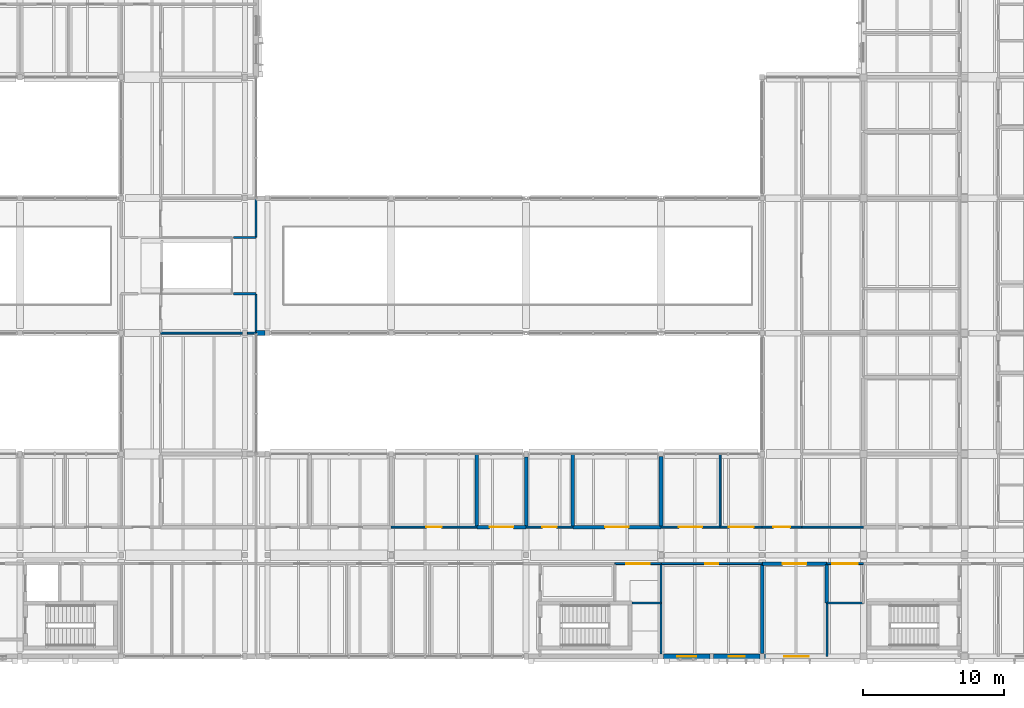
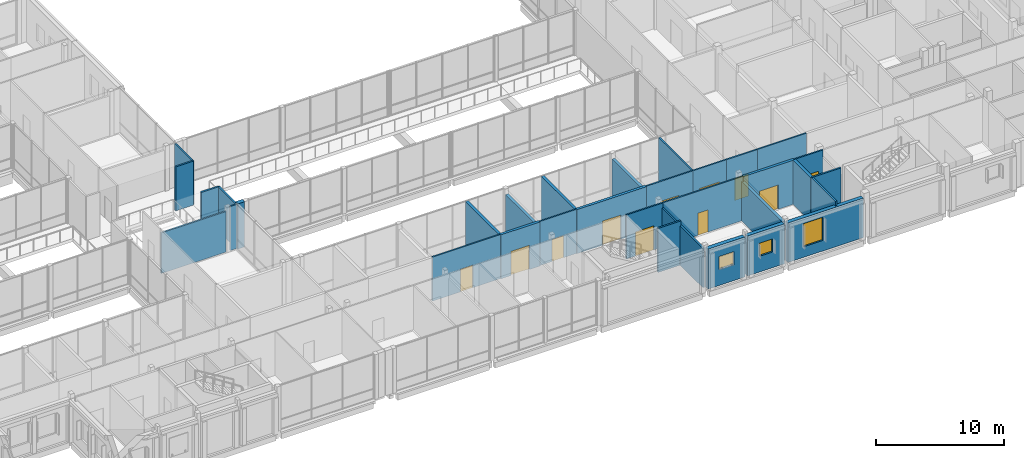
# One storey, part 113 of 146: 34 walls, 11 doors, 3 windows, 14 openings.
"""IFC4 building model written with IfcOpenShell, lengths in metres."""

from ifc_helpers import new_model, si_unit, direction, frame, frame_2d, origin, place, context, subcontext, project, spatial, rectangle, extrude, material, layer, layer_set, type_object, element, fill, save


model = new_model("IFC4")

# Units and contexts
model_context = context("Model", 3, precision=1e-05, world=origin(), true_north=direction((0.0, 1.0)))
body_context = subcontext(model_context, "Body", "Model", "MODEL_VIEW")
ifc_project = project(units=[si_unit("LENGTHUNIT", "METRE"), si_unit("AREAUNIT", "SQUARE_METRE"), si_unit("VOLUMEUNIT", "CUBIC_METRE"), si_unit("PLANEANGLEUNIT", "RADIAN"), si_unit("MASSUNIT", "GRAM", prefix="KILO")], contexts=[model_context])

# Site, building, storey
site_placement = place(None, origin())
site = spatial("IfcSite", under=ifc_project, at=site_placement, CompositionType="ELEMENT")
building_placement = place(site_placement, origin())
building = spatial("IfcBuilding", under=site, at=building_placement, Name="Hawrajan Terrace Health Centre", CompositionType="ELEMENT")
storey_placement = place(building_placement, frame((0.0, 0.0, 4.5)))
storey = spatial("IfcBuildingStorey", under=building, at=storey_placement, Name="L01", CompositionType="ELEMENT", Elevation=4.5)

# Walls
ifc_material_1 = material(Name="Gypsum board on acoustic stud framing")
ifc_layer_1 = layer(ifc_material_1, 0.139892578125)
ifc_layer_set_1 = layer_set([ifc_layer_1], Name="Gypsum board on acoustic stud framing")
wall_type_1 = type_object("IfcWallType", Name="ClinicalAcousticWall_140", PredefinedType="PARTITIONING", material=ifc_layer_set_1)
wall_1_placement = place(storey_placement, frame((65.0, 27.199951171875, 0.0), z_axis=(0.0, 0.0, 1.0), x_axis=(1.0, 0.0, 0.0)))
element("IfcWall", 1, at=wall_1_placement, inside=storey, type_object=wall_type_1, Name="Interior wall IW-L01-0637", PredefinedType="PARTITIONING", context=body_context, shape_type="SweptSolid", body=[
    extrude(rectangle(XDim=5.820068359375, YDim=0.139892578125, at=frame_2d((2.91015625, 0.0))), origin(), (0.0, 0.0, 1.0), 3.85009765625),
])
wall_2_placement = place(storey_placement, frame((71.179931640625, 27.199951171875, 0.0), z_axis=(0.0, 0.0, 1.0), x_axis=(1.0, 0.0, 0.0)))
element("IfcWall", 2, at=wall_2_placement, inside=storey, type_object=wall_type_1, Name="Interior wall IW-L01-0638", PredefinedType="PARTITIONING", context=body_context, shape_type="SweptSolid", body=[
    extrude(rectangle(XDim=0.614990234375, YDim=0.139892578125, at=frame_2d((0.3076171875, 0.0))), origin(), (0.0, 0.0, 1.0), 4.179931640625),
])

# Wall, opening, door
wall_3_placement = place(storey_placement, frame((81.39990234375, 13.39990234375, 0.0), z_axis=(0.0, 0.0, 1.0), x_axis=(1.0, 0.0, 0.0)))
wall_3 = element("IfcWall", 3, at=wall_3_placement, inside=storey, type_object=wall_type_1, Name="Interior wall IW-L01-0660", PredefinedType="PARTITIONING", context=body_context, shape_type="SweptSolid", body=[
    extrude(rectangle(XDim=6.106201171875, YDim=0.139892578125, at=frame_2d((3.05322265625, 0.0))), origin(), (0.0, 0.0, 1.0), 4.179931640625),
])
opening_1_placement = place(wall_3_placement, frame((2.492919921875, 0.0, 0.0)))
opening_1 = element("IfcOpeningElement", 4, at=opening_1_placement, cuts=wall_3, Name="Opening D-L01-351", PredefinedType="OPENING", context=body_context, shape_type="SweptSolid", body=[
    extrude(rectangle(XDim=1.1201171875, YDim=2.14990234375, at=frame_2d((0.56005859375, 1.074951171875))), frame((0.0, 0.079833984375, 0.0), z_axis=(0.0, -1.0, 0.0), x_axis=(1.0, 0.0, 0.0)), (0.0, 0.0, 1.0), 0.159912109375),
])
ifc_material_2 = material(Name="Hardwood acoustic clinical door leaf and frame", Category="wood")
door_type_1 = type_object("IfcDoorType", Name="DentalSurgeryDoor_1120x2150", OperationType="NOTDEFINED", PredefinedType="DOOR", material=ifc_material_2)
door_1_placement = place(opening_1_placement, origin())
door_1 = element("IfcDoor", 5, at=door_1_placement, inside=storey, type_object=door_type_1, Name="Interior door D-L01-351", OperationType="SINGLE_SWING_LEFT", OverallHeight=2.14990234375, OverallWidth=1.1201171875, PredefinedType="DOOR", context=body_context, shape_type="SweptSolid", body=[
    extrude(rectangle(XDim=1.1201171875, YDim=2.14990234375, at=frame_2d((0.56005859375, 1.074951171875))), frame((0.0, 0.02490234375, 0.0), z_axis=(0.0, -1.0, 0.0), x_axis=(1.0, 0.0, 0.0)), (0.0, 0.0, 1.0), 0.050048828125),
])
fill(opening_1, door_1)

wall_4_placement = place(storey_placement, frame((91.0, 13.39990234375, 0.0), z_axis=(0.0, 0.0, 1.0), x_axis=(1.0, 0.0, 0.0)))
wall_4 = element("IfcWall", 6, at=wall_4_placement, inside=storey, type_object=wall_type_1, Name="Interior wall IW-L01-0668", PredefinedType="PARTITIONING", context=body_context, shape_type="SweptSolid", body=[
    extrude(rectangle(XDim=3.3310546875, YDim=0.139892578125, at=frame_2d((1.66552734375, 0.0))), origin(), (0.0, 0.0, 1.0), 4.179931640625),
])
opening_2_placement = place(wall_4_placement, frame((1.1455078125, 0.0, 0.0)))
opening_2 = element("IfcOpeningElement", 7, at=opening_2_placement, cuts=wall_4, Name="Opening D-L01-355", PredefinedType="OPENING", context=body_context, shape_type="SweptSolid", body=[
    extrude(rectangle(XDim=1.0400390625, YDim=2.10009765625, at=frame_2d((0.52001953125, 1.050048828125))), frame((0.0, 0.079833984375, 0.0), z_axis=(0.0, -1.0, 0.0), x_axis=(1.0, 0.0, 0.0)), (0.0, 0.0, 1.0), 0.159912109375),
])
door_type_2 = type_object("IfcDoorType", Name="ConsultDoor_1040x2100", OperationType="NOTDEFINED", PredefinedType="DOOR", material=ifc_material_2)
door_2_placement = place(opening_2_placement, origin())
door_2 = element("IfcDoor", 8, at=door_2_placement, inside=storey, type_object=door_type_2, Name="Interior door D-L01-355", OperationType="SINGLE_SWING_LEFT", OverallHeight=2.10009765625, OverallWidth=1.0400390625, PredefinedType="DOOR", context=body_context, shape_type="SweptSolid", body=[
    extrude(rectangle(XDim=1.0400390625, YDim=2.10009765625, at=frame_2d((0.52001953125, 1.050048828125))), frame((0.0, 0.02490234375, 0.0), z_axis=(0.0, -1.0, 0.0), x_axis=(1.0, 0.0, 0.0)), (0.0, 0.0, 1.0), 0.050048828125),
])
fill(opening_2, door_2)

wall_5_placement = place(storey_placement, frame((97.322998046875, 10.800048828125, 0.0), z_axis=(0.0, 0.0, 1.0), x_axis=(1.0, 0.0, 0.0)))
wall_5 = element("IfcWall", 9, at=wall_5_placement, inside=storey, type_object=wall_type_1, Name="Interior wall IW-L01-0674", PredefinedType="PARTITIONING", context=body_context, shape_type="SweptSolid", body=[
    extrude(rectangle(XDim=3.277099609375, YDim=0.139892578125, at=frame_2d((1.638671875, 0.0))), origin(), (0.0, 0.0, 1.0), 4.179931640625),
])
opening_3_placement = place(wall_5_placement, frame((0.80859375, 0.0, 0.0)))
opening_3 = element("IfcOpeningElement", 10, at=opening_3_placement, cuts=wall_5, Name="Opening D-L01-354", PredefinedType="OPENING", context=body_context, shape_type="SweptSolid", body=[
    extrude(rectangle(XDim=1.659912109375, YDim=2.300048828125, at=frame_2d((0.830078125, 1.14990234375))), frame((0.0, 0.079833984375, 0.0), z_axis=(0.0, -1.0, 0.0), x_axis=(1.0, 0.0, 0.0)), (0.0, 0.0, 1.0), 0.159912109375),
])
door_type_3 = type_object("IfcDoorType", Name="RehabGymDoor_1660x2300", OperationType="DOUBLE_DOOR_SINGLE_SWING", PredefinedType="DOOR", material=ifc_material_2)
door_3_placement = place(opening_3_placement, origin())
door_3 = element("IfcDoor", 11, at=door_3_placement, inside=storey, type_object=door_type_3, Name="Interior door D-L01-354", OperationType="DOUBLE_DOOR_SINGLE_SWING", OverallHeight=2.300048828125, OverallWidth=1.659912109375, PredefinedType="DOOR", context=body_context, shape_type="SweptSolid", body=[
    extrude(rectangle(XDim=1.659912109375, YDim=2.300048828125, at=frame_2d((0.830078125, 1.14990234375))), frame((0.0, 0.02490234375, 0.0), z_axis=(0.0, -1.0, 0.0), x_axis=(1.0, 0.0, 0.0)), (0.0, 0.0, 1.0), 0.050048828125),
])
fill(opening_3, door_3)

# Wall
wall_6_placement = place(storey_placement, frame((100.60009765625, 8.0, 0.0), z_axis=(0.0, 0.0, 1.0), x_axis=(0.0, 1.0, 0.0)))
element("IfcWall", 12, at=wall_6_placement, inside=storey, type_object=wall_type_1, Name="Interior wall IW-L01-0675", PredefinedType="PARTITIONING", context=body_context, shape_type="SweptSolid", body=[
    extrude(rectangle(XDim=2.72998046875, YDim=0.139892578125, at=frame_2d((1.364990234375, 0.0))), origin(), (0.0, 0.0, 1.0), 3.739990234375),
])

# Wall, opening, door
wall_7_placement = place(storey_placement, frame((100.60009765625, 10.800048828125, 0.0), z_axis=(0.0, 0.0, 1.0), x_axis=(1.0, 0.0, 0.0)))
wall_7 = element("IfcWall", 13, at=wall_7_placement, inside=storey, type_object=wall_type_1, Name="Interior wall IW-L01-0676", PredefinedType="PARTITIONING", context=body_context, shape_type="SweptSolid", body=[
    extrude(rectangle(XDim=7.199951171875, YDim=0.139892578125, at=frame_2d((3.60009765625, 0.0))), origin(), (0.0, 0.0, 1.0), 4.179931640625),
])
opening_4_placement = place(wall_7_placement, frame((3.139892578125, 0.0, 0.0)))
opening_4 = element("IfcOpeningElement", 14, at=opening_4_placement, cuts=wall_7, Name="Opening D-L01-357", PredefinedType="OPENING", context=body_context, shape_type="SweptSolid", body=[
    extrude(rectangle(XDim=0.919921875, YDim=2.10009765625, at=frame_2d((0.4599609375, 1.050048828125))), frame((0.0, 0.079833984375, 0.0), z_axis=(0.0, -1.0, 0.0), x_axis=(1.0, 0.0, 0.0)), (0.0, 0.0, 1.0), 0.159912109375),
])
door_type_4 = type_object("IfcDoorType", Name="StaffOfficeDoor_920x2100", OperationType="NOTDEFINED", PredefinedType="DOOR", material=ifc_material_2)
door_4_placement = place(opening_4_placement, origin())
door_4 = element("IfcDoor", 15, at=door_4_placement, inside=storey, type_object=door_type_4, Name="Interior door D-L01-357", OperationType="SINGLE_SWING_LEFT", OverallHeight=2.10009765625, OverallWidth=0.919921875, PredefinedType="DOOR", context=body_context, shape_type="SweptSolid", body=[
    extrude(rectangle(XDim=0.919921875, YDim=2.10009765625, at=frame_2d((0.4599609375, 1.050048828125))), frame((0.0, 0.02490234375, 0.0), z_axis=(0.0, -1.0, 0.0), x_axis=(1.0, 0.0, 0.0)), (0.0, 0.0, 1.0), 0.050048828125),
])
fill(opening_4, door_4)

wall_8_placement = place(storey_placement, frame((100.60009765625, 13.39990234375, 0.0), z_axis=(0.0, 0.0, 1.0), x_axis=(1.0, 0.0, 0.0)))
wall_8 = element("IfcWall", 16, at=wall_8_placement, inside=storey, type_object=wall_type_1, Name="Interior wall IW-L01-0678", PredefinedType="PARTITIONING", context=body_context, shape_type="SweptSolid", body=[
    extrude(rectangle(XDim=4.2119140625, YDim=0.139892578125, at=frame_2d((2.10595703125, 0.0))), origin(), (0.0, 0.0, 1.0), 4.179931640625),
])
opening_5_placement = place(wall_8_placement, frame((1.27587890625, 0.0, 0.0)))
opening_5 = element("IfcOpeningElement", 17, at=opening_5_placement, cuts=wall_8, Name="Opening D-L01-358", PredefinedType="OPENING", context=body_context, shape_type="SweptSolid", body=[
    extrude(rectangle(XDim=1.659912109375, YDim=2.300048828125, at=frame_2d((0.830078125, 1.14990234375))), frame((0.0, 0.079833984375, 0.0), z_axis=(0.0, -1.0, 0.0), x_axis=(1.0, 0.0, 0.0)), (0.0, 0.0, 1.0), 0.159912109375),
])
door_5_placement = place(opening_5_placement, origin())
door_5 = element("IfcDoor", 18, at=door_5_placement, inside=storey, type_object=door_type_3, Name="Interior door D-L01-358", OperationType="DOUBLE_DOOR_SINGLE_SWING", OverallHeight=2.300048828125, OverallWidth=1.659912109375, PredefinedType="DOOR", context=body_context, shape_type="SweptSolid", body=[
    extrude(rectangle(XDim=1.659912109375, YDim=2.300048828125, at=frame_2d((0.830078125, 1.14990234375))), frame((0.0, 0.02490234375, 0.0), z_axis=(0.0, -1.0, 0.0), x_axis=(1.0, 0.0, 0.0)), (0.0, 0.0, 1.0), 0.050048828125),
])
fill(opening_5, door_5)

# Wall
wall_9_placement = place(storey_placement, frame((104.81201171875, 13.469970703125, 0.0), z_axis=(0.0, 0.0, 1.0), x_axis=(0.0, 1.0, 0.0)))
element("IfcWall", 19, at=wall_9_placement, inside=storey, type_object=wall_type_1, Name="Interior wall IW-L01-0679", PredefinedType="PARTITIONING", context=body_context, shape_type="SweptSolid", body=[
    extrude(rectangle(XDim=5.130126953125, YDim=0.139892578125, at=frame_2d((2.56494140625, 0.0))), origin(), (0.0, 0.0, 1.0), 4.179931640625),
])

# Wall, opening, door
wall_10_placement = place(storey_placement, frame((104.81201171875, 13.39990234375, 0.0), z_axis=(0.0, 0.0, 1.0), x_axis=(1.0, 0.0, 0.0)))
wall_10 = element("IfcWall", 20, at=wall_10_placement, inside=storey, type_object=wall_type_1, Name="Interior wall IW-L01-0680", PredefinedType="PARTITIONING", context=body_context, shape_type="SweptSolid", body=[
    extrude(rectangle(XDim=2.988037109375, YDim=0.139892578125, at=frame_2d((1.494140625, 0.0))), origin(), (0.0, 0.0, 1.0), 4.179931640625),
])
opening_6_placement = place(wall_10_placement, frame((0.593994140625, 0.0, 0.0)))
opening_6 = element("IfcOpeningElement", 21, at=opening_6_placement, cuts=wall_10, Name="Opening D-L01-359", PredefinedType="OPENING", context=body_context, shape_type="SweptSolid", body=[
    extrude(rectangle(XDim=1.800048828125, YDim=2.300048828125, at=frame_2d((0.89990234375, 1.14990234375))), frame((0.0, 0.079833984375, 0.0), z_axis=(0.0, -1.0, 0.0), x_axis=(1.0, 0.0, 0.0)), (0.0, 0.0, 1.0), 0.159912109375),
])
door_type_5 = type_object("IfcDoorType", Name="EducationHallDoor_1800x2300", OperationType="DOUBLE_DOOR_SINGLE_SWING", PredefinedType="DOOR", material=ifc_material_2)
door_6_placement = place(opening_6_placement, origin())
door_6 = element("IfcDoor", 22, at=door_6_placement, inside=storey, type_object=door_type_5, Name="Interior door D-L01-359", OperationType="DOUBLE_DOOR_SINGLE_SWING", OverallHeight=2.300048828125, OverallWidth=1.800048828125, PredefinedType="DOOR", context=body_context, shape_type="SweptSolid", body=[
    extrude(rectangle(XDim=1.800048828125, YDim=2.300048828125, at=frame_2d((0.89990234375, 1.14990234375))), frame((0.0, 0.02490234375, 0.0), z_axis=(0.0, -1.0, 0.0), x_axis=(1.0, 0.0, 0.0)), (0.0, 0.0, 1.0), 0.050048828125),
])
fill(opening_6, door_6)

wall_11_placement = place(storey_placement, frame((107.800048828125, 13.39990234375, 0.0), z_axis=(0.0, 0.0, 1.0), x_axis=(1.0, 0.0, 0.0)))
wall_11 = element("IfcWall", 23, at=wall_11_placement, inside=storey, type_object=wall_type_1, Name="Interior wall IW-L01-0684", PredefinedType="PARTITIONING", context=body_context, shape_type="SweptSolid", body=[
    extrude(rectangle(XDim=2.800048828125, YDim=0.139892578125, at=frame_2d((1.39990234375, 0.0))), origin(), (0.0, 0.0, 1.0), 4.179931640625),
])
opening_7_placement = place(wall_11_placement, frame((0.7900390625, 0.0, 0.0)))
opening_7 = element("IfcOpeningElement", 24, at=opening_7_placement, cuts=wall_11, Name="Opening D-L01-269", PredefinedType="OPENING", context=body_context, shape_type="SweptSolid", body=[
    extrude(rectangle(XDim=1.219970703125, YDim=2.10009765625, at=frame_2d((0.60986328125, 1.050048828125))), frame((0.0, 0.079833984375, 0.0), z_axis=(0.0, -1.0, 0.0), x_axis=(1.0, 0.0, 0.0)), (0.0, 0.0, 1.0), 0.159912109375),
])
door_type_6 = type_object("IfcDoorType", Name="ConsultDoor_1220x2100", OperationType="NOTDEFINED", PredefinedType="DOOR", material=ifc_material_2)
door_7_placement = place(opening_7_placement, origin())
door_7 = element("IfcDoor", 25, at=door_7_placement, inside=storey, type_object=door_type_6, Name="Interior door D-L01-269", OperationType="SINGLE_SWING_LEFT", OverallHeight=2.10009765625, OverallWidth=1.219970703125, PredefinedType="DOOR", context=body_context, shape_type="SweptSolid", body=[
    extrude(rectangle(XDim=1.219970703125, YDim=2.10009765625, at=frame_2d((0.60986328125, 1.050048828125))), frame((0.0, 0.02490234375, 0.0), z_axis=(0.0, -1.0, 0.0), x_axis=(1.0, 0.0, 0.0)), (0.0, 0.0, 1.0), 0.050048828125),
])
fill(opening_7, door_7)

# Wall
wall_12_placement = place(storey_placement, frame((110.60009765625, 13.39990234375, 0.0), z_axis=(0.0, 0.0, 1.0), x_axis=(1.0, 0.0, 0.0)))
element("IfcWall", 26, at=wall_12_placement, inside=storey, type_object=wall_type_1, Name="Interior wall IW-L01-0686", PredefinedType="PARTITIONING", context=body_context, shape_type="SweptSolid", body=[
    extrude(rectangle(XDim=4.39990234375, YDim=0.139892578125, at=frame_2d((2.199951171875, 0.0))), origin(), (0.0, 0.0, 1.0), 4.179931640625),
])

# Wall, opening, door
wall_13_placement = place(storey_placement, frame((112.39990234375, 10.800048828125, 0.0), z_axis=(0.0, 0.0, 1.0), x_axis=(1.0, 0.0, 0.0)))
wall_13 = element("IfcWall", 27, at=wall_13_placement, inside=storey, type_object=wall_type_1, Name="Interior wall IW-L01-0694", PredefinedType="PARTITIONING", context=body_context, shape_type="SweptSolid", body=[
    extrude(rectangle(XDim=2.60009765625, YDim=0.139892578125, at=frame_2d((1.300048828125, 0.0))), origin(), (0.0, 0.0, 1.0), 4.179931640625),
])
opening_8_placement = place(wall_13_placement, frame((0.39990234375, 0.0, 0.0)))
opening_8 = element("IfcOpeningElement", 28, at=opening_8_placement, cuts=wall_13, Name="Opening D-L01-267", PredefinedType="OPENING", context=body_context, shape_type="SweptSolid", body=[
    extrude(rectangle(XDim=1.800048828125, YDim=2.300048828125, at=frame_2d((0.89990234375, 1.14990234375))), frame((0.0, 0.079833984375, 0.0), z_axis=(0.0, -1.0, 0.0), x_axis=(1.0, 0.0, 0.0)), (0.0, 0.0, 1.0), 0.159912109375),
])
door_8_placement = place(opening_8_placement, origin())
door_8 = element("IfcDoor", 29, at=door_8_placement, inside=storey, type_object=door_type_5, Name="Interior door D-L01-267", OperationType="DOUBLE_DOOR_SINGLE_SWING", OverallHeight=2.300048828125, OverallWidth=1.800048828125, PredefinedType="DOOR", context=body_context, shape_type="SweptSolid", body=[
    extrude(rectangle(XDim=1.800048828125, YDim=2.300048828125, at=frame_2d((0.89990234375, 1.14990234375))), frame((0.0, 0.02490234375, 0.0), z_axis=(0.0, -1.0, 0.0), x_axis=(1.0, 0.0, 0.0)), (0.0, 0.0, 1.0), 0.050048828125),
])
fill(opening_8, door_8)

# Wall, opening, window
ifc_material_3 = material(Name="Precast concrete C40/50", Category="concrete")
ifc_layer_2 = layer(ifc_material_3, 0.340087890625)
ifc_layer_set_2 = layer_set([ifc_layer_2], Name="Precast concrete C40/50")
wall_type_2 = type_object("IfcWallType", Name="CoralAshlarWall_340", PredefinedType="SOLIDWALL", material=ifc_layer_set_2)
wall_14_placement = place(storey_placement, frame((107.9599609375, 4.199951171875, 0.0), z_axis=(0.0, 0.0, 1.0), x_axis=(1.0, 0.0, 0.0)))
wall_14 = element("IfcWall", 30, at=wall_14_placement, inside=storey, type_object=wall_type_2, Name="Exterior wall EW-L01-H13-00-1", PredefinedType="SOLIDWALL", context=body_context, shape_type="SweptSolid", body=[
    extrude(rectangle(XDim=6.7900390625, YDim=0.340087890625, at=frame_2d((3.39501953125, 0.0))), origin(), (0.0, 0.0, 1.0), 3.760009765625),
])
opening_9_placement = place(wall_14_placement, frame((1.419921875, 0.0, 1.0)))
opening_9 = element("IfcOpeningElement", 31, at=opening_9_placement, cuts=wall_14, Name="Opening W-L01-086", PredefinedType="OPENING", context=body_context, shape_type="SweptSolid", body=[
    extrude(rectangle(XDim=1.719970703125, YDim=2.199951171875, at=frame_2d((0.85986328125, 1.10009765625))), frame((0.0, 0.179931640625, 0.0), z_axis=(0.0, -1.0, 0.0), x_axis=(1.0, 0.0, 0.0)), (0.0, 0.0, 1.0), 0.360107421875),
])
ifc_material_4 = material(Name="Anodized bronze frame with double low-E glazing", Category="glass")
window_type_1 = type_object("IfcWindowType", Name="FacadeWindow_1720x2200", PartitioningType="DOUBLE_PANEL_VERTICAL", PredefinedType="WINDOW", material=ifc_material_4)
window_1_placement = place(opening_9_placement, origin())
window_1 = element("IfcWindow", 32, at=window_1_placement, inside=storey, type_object=window_type_1, Name="Window W-L01-086", OverallHeight=2.199951171875, OverallWidth=1.719970703125, PartitioningType="DOUBLE_PANEL_VERTICAL", PredefinedType="WINDOW", context=body_context, shape_type="SweptSolid", body=[
    extrude(rectangle(XDim=1.719970703125, YDim=2.199951171875, at=frame_2d((0.85986328125, 1.10009765625))), frame((0.0, 0.030029296875, 0.0), z_axis=(0.0, -1.0, 0.0), x_axis=(1.0, 0.0, 0.0)), (0.0, 0.0, 1.0), 0.06005859375),
])
fill(opening_9, window_1)

# Wall
ifc_layer_3 = layer(ifc_material_3, 0.360107421875)
ifc_layer_set_3 = layer_set([ifc_layer_3], Name="Precast concrete C40/50")
wall_type_3 = type_object("IfcWallType", Name="CoralPodiumWall_360", PredefinedType="SOLIDWALL", material=ifc_layer_set_3)
wall_15_placement = place(storey_placement, frame((71.804931640625, 27.199951171875, 0.0), z_axis=(0.0, 0.0, 1.0), x_axis=(1.0, 0.0, 0.0)))
element("IfcWall", 33, at=wall_15_placement, inside=storey, type_object=wall_type_3, Name="Exterior wall EW-L01-H09-03-1", PredefinedType="SOLIDWALL", context=body_context, shape_type="SweptSolid", body=[
    extrude(rectangle(XDim=0.614990234375, YDim=0.360107421875, at=frame_2d((0.3076171875, 0.0))), origin(), (0.0, 0.0, 1.0), 4.300048828125),
])

# Wall, opening, window
wall_16_placement = place(storey_placement, frame((100.780029296875, 4.199951171875, 0.0), z_axis=(0.0, 0.0, 1.0), x_axis=(1.0, 0.0, 0.0)))
wall_16 = element("IfcWall", 34, at=wall_16_placement, inside=storey, type_object=wall_type_3, Name="Exterior wall EW-L01-H12-00-1", PredefinedType="SOLIDWALL", context=body_context, shape_type="SweptSolid", body=[
    extrude(rectangle(XDim=3.300048828125, YDim=0.360107421875, at=frame_2d((1.64990234375, 0.0))), origin(), (0.0, 0.0, 1.0), 3.800048828125),
])
opening_10_placement = place(wall_16_placement, frame((0.989990234375, 0.0, 1.5)))
opening_10 = element("IfcOpeningElement", 35, at=opening_10_placement, cuts=wall_16, Name="Opening W-L01-084", PredefinedType="OPENING", context=body_context, shape_type="SweptSolid", body=[
    extrude(rectangle(XDim=1.320068359375, YDim=1.25, at=frame_2d((0.66015625, 0.625))), frame((0.0, 0.18994140625, 0.0), z_axis=(0.0, -1.0, 0.0), x_axis=(1.0, 0.0, 0.0)), (0.0, 0.0, 1.0), 0.380126953125),
])
window_type_2 = type_object("IfcWindowType", Name="FacadeWindow_1320x1250", PartitioningType="SINGLE_PANEL", PredefinedType="WINDOW", material=ifc_material_4)
window_2_placement = place(opening_10_placement, origin())
window_2 = element("IfcWindow", 36, at=window_2_placement, inside=storey, type_object=window_type_2, Name="Window W-L01-084", OverallHeight=1.25, OverallWidth=1.320068359375, PartitioningType="SINGLE_PANEL", PredefinedType="WINDOW", context=body_context, shape_type="SweptSolid", body=[
    extrude(rectangle(XDim=1.320068359375, YDim=1.25, at=frame_2d((0.66015625, 0.625))), frame((0.0, 0.030029296875, 0.0), z_axis=(0.0, -1.0, 0.0), x_axis=(1.0, 0.0, 0.0)), (0.0, 0.0, 1.0), 0.06005859375),
])
fill(opening_10, window_2)

wall_17_placement = place(storey_placement, frame((104.320068359375, 4.199951171875, 0.0), z_axis=(0.0, 0.0, 1.0), x_axis=(1.0, 0.0, 0.0)))
wall_17 = element("IfcWall", 37, at=wall_17_placement, inside=storey, type_object=wall_type_3, Name="Exterior wall EW-L01-H12-00-2", PredefinedType="SOLIDWALL", context=body_context, shape_type="SweptSolid", body=[
    extrude(rectangle(XDim=3.31982421875, YDim=0.360107421875, at=frame_2d((1.659912109375, 0.0))), origin(), (0.0, 0.0, 1.0), 3.800048828125),
])
opening_11_placement = place(wall_17_placement, frame((1.0849609375, 0.0, 1.5)))
opening_11 = element("IfcOpeningElement", 38, at=opening_11_placement, cuts=wall_17, Name="Opening W-L01-085", PredefinedType="OPENING", context=body_context, shape_type="SweptSolid", body=[
    extrude(rectangle(XDim=1.14990234375, YDim=1.25, at=frame_2d((0.574951171875, 0.625))), frame((0.0, 0.18994140625, 0.0), z_axis=(0.0, -1.0, 0.0), x_axis=(1.0, 0.0, 0.0)), (0.0, 0.0, 1.0), 0.380126953125),
])
window_type_3 = type_object("IfcWindowType", Name="FacadeWindow_1150x1250", PartitioningType="SINGLE_PANEL", PredefinedType="WINDOW", material=ifc_material_4)
window_3_placement = place(opening_11_placement, origin())
window_3 = element("IfcWindow", 39, at=window_3_placement, inside=storey, type_object=window_type_3, Name="Window W-L01-085", OverallHeight=1.25, OverallWidth=1.14990234375, PartitioningType="SINGLE_PANEL", PredefinedType="WINDOW", context=body_context, shape_type="SweptSolid", body=[
    extrude(rectangle(XDim=1.14990234375, YDim=1.25, at=frame_2d((0.574951171875, 0.625))), frame((0.0, 0.030029296875, 0.0), z_axis=(0.0, -1.0, 0.0), x_axis=(1.0, 0.0, 0.0)), (0.0, 0.0, 1.0), 0.06005859375),
])
fill(opening_11, window_3)

# Walls
ifc_layer_4 = layer(ifc_material_1, 0.159912109375)
ifc_layer_set_4 = layer_set([ifc_layer_4], Name="Gypsum board on acoustic stud framing")
wall_type_4 = type_object("IfcWallType", Name="CorridorFireWall_160", PredefinedType="PARTITIONING", material=ifc_layer_set_4)
wall_18_placement = place(storey_placement, frame((112.39990234375, 8.0, 0.0), z_axis=(0.0, 0.0, 1.0), x_axis=(1.0, 0.0, 0.0)))
element("IfcWall", 40, at=wall_18_placement, inside=storey, type_object=wall_type_4, Name="Interior wall IW-L01-0871", PredefinedType="PARTITIONING", context=body_context, shape_type="SweptSolid", body=[
    extrude(rectangle(XDim=2.60009765625, YDim=0.159912109375, at=frame_2d((1.300048828125, 0.0))), origin(), (0.0, 0.0, 1.0), 4.179931640625),
])
wall_19_placement = place(storey_placement, frame((71.794921875, 27.27001953125, 0.0), z_axis=(0.0, 0.0, 1.0), x_axis=(0.0, 1.0, 0.0)))
element("IfcWall", 41, at=wall_19_placement, inside=storey, type_object=wall_type_4, Name="Interior wall IW-L01-0930", PredefinedType="PARTITIONING", context=body_context, shape_type="SweptSolid", body=[
    extrude(rectangle(XDim=2.72998046875, YDim=0.159912109375, at=frame_2d((1.364990234375, 0.0))), origin(), (0.0, 0.0, 1.0), 4.179931640625),
])
for number, where, z_axis, x_axis, name in (
    (42, (71.794921875, 30.0, 0.0), (0.0, 0.0, 1.0), (-1.0, 0.0, 0.0), "Interior wall IW-L01-0931"),
    (43, (70.20556640625, 34.0, 0.0), (0.0, 0.0, 1.0), (1.0, 0.0, 0.0), "Interior wall IW-L01-0932"),
):
    element("IfcWall", number, at=place(storey_placement, frame(where, z_axis=z_axis, x_axis=x_axis)), inside=storey, type_object=wall_type_4, Name=name, PredefinedType="PARTITIONING", context=body_context, shape_type="SweptSolid", body=[
        extrude(rectangle(XDim=1.58935546875, YDim=0.159912109375, at=frame_2d((0.794677734375, 0.0))), origin(), (0.0, 0.0, 1.0), 4.179931640625),
    ])
wall_20_placement = place(storey_placement, frame((71.794921875, 34.0, 0.0), z_axis=(0.0, 0.0, 1.0), x_axis=(0.0, 1.0, 0.0)))
element("IfcWall", 44, at=wall_20_placement, inside=storey, type_object=wall_type_4, Name="Interior wall IW-L01-0933", PredefinedType="PARTITIONING", context=body_context, shape_type="SweptSolid", body=[
    extrude(rectangle(XDim=2.72998046875, YDim=0.159912109375, at=frame_2d((1.364990234375, 0.0))), origin(), (0.0, 0.0, 1.0), 4.179931640625),
])
wall_21_placement = place(storey_placement, frame((98.550048828125, 8.0, 0.0), z_axis=(0.0, 0.0, 1.0), x_axis=(1.0, 0.0, 0.0)))
element("IfcWall", 45, at=wall_21_placement, inside=storey, type_object=wall_type_4, Name="Interior wall IW-L01-0941", PredefinedType="PARTITIONING", context=body_context, shape_type="SweptSolid", body=[
    extrude(rectangle(XDim=2.050048828125, YDim=0.159912109375, at=frame_2d((1.02490234375, 0.0))), origin(), (0.0, 0.0, 1.0), 4.179931640625),
])
wall_22_placement = place(storey_placement, frame((100.60009765625, 4.3798828125, 0.0), z_axis=(0.0, 0.0, 1.0), x_axis=(0.0, 1.0, 0.0)))
element("IfcWall", 46, at=wall_22_placement, inside=storey, type_object=wall_type_4, Name="Interior wall IW-L01-0942", PredefinedType="PARTITIONING", context=body_context, shape_type="SweptSolid", body=[
    extrude(rectangle(XDim=3.6201171875, YDim=0.159912109375, at=frame_2d((1.81005859375, 0.0))), origin(), (0.0, 0.0, 1.0), 3.739990234375),
])
wall_23_placement = place(storey_placement, frame((112.39990234375, 4.199951171875, 0.0), z_axis=(0.0, 0.0, 1.0), x_axis=(0.0, 1.0, 0.0)))
element("IfcWall", 47, at=wall_23_placement, inside=storey, type_object=wall_type_4, Name="Interior wall IW-L01-0943", PredefinedType="PARTITIONING", context=body_context, shape_type="SweptSolid", body=[
    extrude(rectangle(XDim=3.800048828125, YDim=0.159912109375, at=frame_2d((1.89990234375, 0.0))), origin(), (0.0, 0.0, 1.0), 4.179931640625),
])
ifc_material_5 = material(Name="Concrete C40/50", Category="concrete")
ifc_layer_5 = layer(ifc_material_5, 0.25)
ifc_layer_set_5 = layer_set([ifc_layer_5], Name="Concrete C40/50")
wall_type_5 = type_object("IfcWallType", Name="RadiationShieldWall_RC250", PredefinedType="SOLIDWALL", material=ifc_layer_set_5)
wall_24_placement = place(storey_placement, frame((87.506103515625, 13.469970703125, 0.0), z_axis=(0.0, 0.0, 1.0), x_axis=(0.0, 1.0, 0.0)))
element("IfcWall", 48, at=wall_24_placement, inside=storey, type_object=wall_type_5, Name="Interior wall IW-L01-0663", PredefinedType="SOLIDWALL", context=body_context, shape_type="SweptSolid", body=[
    extrude(rectangle(XDim=5.130126953125, YDim=0.25, at=frame_2d((2.56494140625, 0.0))), origin(), (0.0, 0.0, 1.0), 4.179931640625),
])

# Wall, opening, door
wall_25_placement = place(storey_placement, frame((87.506103515625, 13.39990234375, 0.0), z_axis=(0.0, 0.0, 1.0), x_axis=(1.0, 0.0, 0.0)))
wall_25 = element("IfcWall", 49, at=wall_25_placement, inside=storey, type_object=wall_type_5, Name="Interior wall IW-L01-0664", PredefinedType="SOLIDWALL", context=body_context, shape_type="SweptSolid", body=[
    extrude(rectangle(XDim=3.493896484375, YDim=0.25, at=frame_2d((1.7470703125, 0.0))), origin(), (0.0, 0.0, 1.0), 4.179931640625),
])
opening_12_placement = place(wall_25_placement, frame((0.906982421875, 0.0, 0.0)))
opening_12 = element("IfcOpeningElement", 50, at=opening_12_placement, cuts=wall_25, Name="Opening D-L01-352", PredefinedType="OPENING", context=body_context, shape_type="SweptSolid", body=[
    extrude(rectangle(XDim=1.679931640625, YDim=2.300048828125, at=frame_2d((0.83984375, 1.14990234375))), frame((0.0, 0.135009765625, 0.0), z_axis=(0.0, -1.0, 0.0), x_axis=(1.0, 0.0, 0.0)), (0.0, 0.0, 1.0), 0.27001953125),
])
ifc_material_6 = material(Name="Timber-veneered acoustic fire-resisting door assembly", Category="wood")
door_type_7 = type_object("IfcDoorType", Name="ImagingShieldedDoor_1680x2300", OperationType="DOUBLE_DOOR_SINGLE_SWING", PredefinedType="DOOR", material=ifc_material_6)
door_9_placement = place(opening_12_placement, origin())
door_9 = element("IfcDoor", 51, at=door_9_placement, inside=storey, type_object=door_type_7, Name="Interior door D-L01-352", OperationType="DOUBLE_DOOR_SINGLE_SWING", OverallHeight=2.300048828125, OverallWidth=1.679931640625, PredefinedType="DOOR", context=body_context, shape_type="SweptSolid", body=[
    extrude(rectangle(XDim=1.679931640625, YDim=2.300048828125, at=frame_2d((0.83984375, 1.14990234375))), frame((0.0, 0.02490234375, 0.0), z_axis=(0.0, -1.0, 0.0), x_axis=(1.0, 0.0, 0.0)), (0.0, 0.0, 1.0), 0.050048828125),
])
fill(opening_12, door_9)

# Walls
wall_26_placement = place(storey_placement, frame((91.0, 13.469970703125, 0.0), z_axis=(0.0, 0.0, 1.0), x_axis=(0.0, 1.0, 0.0)))
element("IfcWall", 52, at=wall_26_placement, inside=storey, type_object=wall_type_5, Name="Interior wall IW-L01-0667", PredefinedType="SOLIDWALL", context=body_context, shape_type="SweptSolid", body=[
    extrude(rectangle(XDim=4.919921875, YDim=0.25, at=frame_2d((2.4599609375, 0.0))), origin(), (0.0, 0.0, 1.0), 3.739990234375),
])
wall_27_placement = place(storey_placement, frame((94.3310546875, 13.469970703125, 0.0), z_axis=(0.0, 0.0, 1.0), x_axis=(0.0, 1.0, 0.0)))
element("IfcWall", 53, at=wall_27_placement, inside=storey, type_object=wall_type_5, Name="Interior wall IW-L01-0671", PredefinedType="SOLIDWALL", context=body_context, shape_type="SweptSolid", body=[
    extrude(rectangle(XDim=5.130126953125, YDim=0.25, at=frame_2d((2.56494140625, 0.0))), origin(), (0.0, 0.0, 1.0), 4.179931640625),
])

# Wall, opening, door
wall_28_placement = place(storey_placement, frame((94.3310546875, 13.39990234375, 0.0), z_axis=(0.0, 0.0, 1.0), x_axis=(1.0, 0.0, 0.0)))
wall_28 = element("IfcWall", 54, at=wall_28_placement, inside=storey, type_object=wall_type_5, Name="Interior wall IW-L01-0672", PredefinedType="SOLIDWALL", context=body_context, shape_type="SweptSolid", body=[
    extrude(rectangle(XDim=6.26904296875, YDim=0.25, at=frame_2d((3.134521484375, 0.0))), origin(), (0.0, 0.0, 1.0), 4.179931640625),
])
opening_13_placement = place(wall_28_placement, frame((2.29443359375, 0.0, 0.0)))
opening_13 = element("IfcOpeningElement", 55, at=opening_13_placement, cuts=wall_28, Name="Opening D-L01-356", PredefinedType="OPENING", context=body_context, shape_type="SweptSolid", body=[
    extrude(rectangle(XDim=1.679931640625, YDim=2.300048828125, at=frame_2d((0.83984375, 1.14990234375))), frame((0.0, 0.135009765625, 0.0), z_axis=(0.0, -1.0, 0.0), x_axis=(1.0, 0.0, 0.0)), (0.0, 0.0, 1.0), 0.27001953125),
])
door_10_placement = place(opening_13_placement, origin())
door_10 = element("IfcDoor", 56, at=door_10_placement, inside=storey, type_object=door_type_7, Name="Interior door D-L01-356", OperationType="DOUBLE_DOOR_SINGLE_SWING", OverallHeight=2.300048828125, OverallWidth=1.679931640625, PredefinedType="DOOR", context=body_context, shape_type="SweptSolid", body=[
    extrude(rectangle(XDim=1.679931640625, YDim=2.300048828125, at=frame_2d((0.83984375, 1.14990234375))), frame((0.0, 0.02490234375, 0.0), z_axis=(0.0, -1.0, 0.0), x_axis=(1.0, 0.0, 0.0)), (0.0, 0.0, 1.0), 0.050048828125),
])
fill(opening_13, door_10)

# Walls
wall_29_placement = place(storey_placement, frame((100.60009765625, 13.469970703125, 0.0), z_axis=(0.0, 0.0, 1.0), x_axis=(0.0, 1.0, 0.0)))
element("IfcWall", 57, at=wall_29_placement, inside=storey, type_object=wall_type_5, Name="Interior wall IW-L01-0677", PredefinedType="SOLIDWALL", context=body_context, shape_type="SweptSolid", body=[
    extrude(rectangle(XDim=4.949951171875, YDim=0.25, at=frame_2d((2.47509765625, 0.0))), origin(), (0.0, 0.0, 1.0), 3.739990234375),
])
wall_30_placement = place(storey_placement, frame((107.800048828125, 4.409912109375, 0.0), z_axis=(0.0, 0.0, 1.0), x_axis=(0.0, 1.0, 0.0)))
element("IfcWall", 58, at=wall_30_placement, inside=storey, type_object=wall_type_5, Name="Interior wall IW-L01-0681", PredefinedType="SOLIDWALL", context=body_context, shape_type="SweptSolid", body=[
    extrude(rectangle(XDim=6.320068359375, YDim=0.25, at=frame_2d((3.16015625, 0.0))), origin(), (0.0, 0.0, 1.0), 3.739990234375),
])

# Wall, opening, door
wall_31_placement = place(storey_placement, frame((107.800048828125, 10.800048828125, 0.0), z_axis=(0.0, 0.0, 1.0), x_axis=(1.0, 0.0, 0.0)))
wall_31 = element("IfcWall", 59, at=wall_31_placement, inside=storey, type_object=wall_type_5, Name="Interior wall IW-L01-0682", PredefinedType="SOLIDWALL", context=body_context, shape_type="SweptSolid", body=[
    extrude(rectangle(XDim=4.599853515625, YDim=0.25, at=frame_2d((2.2998046875, 0.0))), origin(), (0.0, 0.0, 1.0), 4.179931640625),
])
opening_14_placement = place(wall_31_placement, frame((1.4599609375, 0.0, 0.0)))
opening_14 = element("IfcOpeningElement", 60, at=opening_14_placement, cuts=wall_31, Name="Opening D-L01-360", PredefinedType="OPENING", context=body_context, shape_type="SweptSolid", body=[
    extrude(rectangle(XDim=1.679931640625, YDim=2.300048828125, at=frame_2d((0.83984375, 1.14990234375))), frame((0.0, 0.135009765625, 0.0), z_axis=(0.0, -1.0, 0.0), x_axis=(1.0, 0.0, 0.0)), (0.0, 0.0, 1.0), 0.27001953125),
])
door_11_placement = place(opening_14_placement, origin())
door_11 = element("IfcDoor", 61, at=door_11_placement, inside=storey, type_object=door_type_7, Name="Interior door D-L01-360", OperationType="DOUBLE_DOOR_SINGLE_SWING", OverallHeight=2.300048828125, OverallWidth=1.679931640625, PredefinedType="DOOR", context=body_context, shape_type="SweptSolid", body=[
    extrude(rectangle(XDim=1.679931640625, YDim=2.300048828125, at=frame_2d((0.83984375, 1.14990234375))), frame((0.0, 0.02490234375, 0.0), z_axis=(0.0, -1.0, 0.0), x_axis=(1.0, 0.0, 0.0)), (0.0, 0.0, 1.0), 0.050048828125),
])
fill(opening_14, door_11)

# Wall
wall_32_placement = place(storey_placement, frame((112.39990234375, 8.0, 0.0), z_axis=(0.0, 0.0, 1.0), x_axis=(0.0, 1.0, 0.0)))
element("IfcWall", 62, at=wall_32_placement, inside=storey, type_object=wall_type_5, Name="Interior wall IW-L01-0693", PredefinedType="SOLIDWALL", context=body_context, shape_type="SweptSolid", body=[
    extrude(rectangle(XDim=2.72998046875, YDim=0.25, at=frame_2d((1.364990234375, 0.0))), origin(), (0.0, 0.0, 1.0), 4.179931640625),
])

save(model, "model.ifc")
